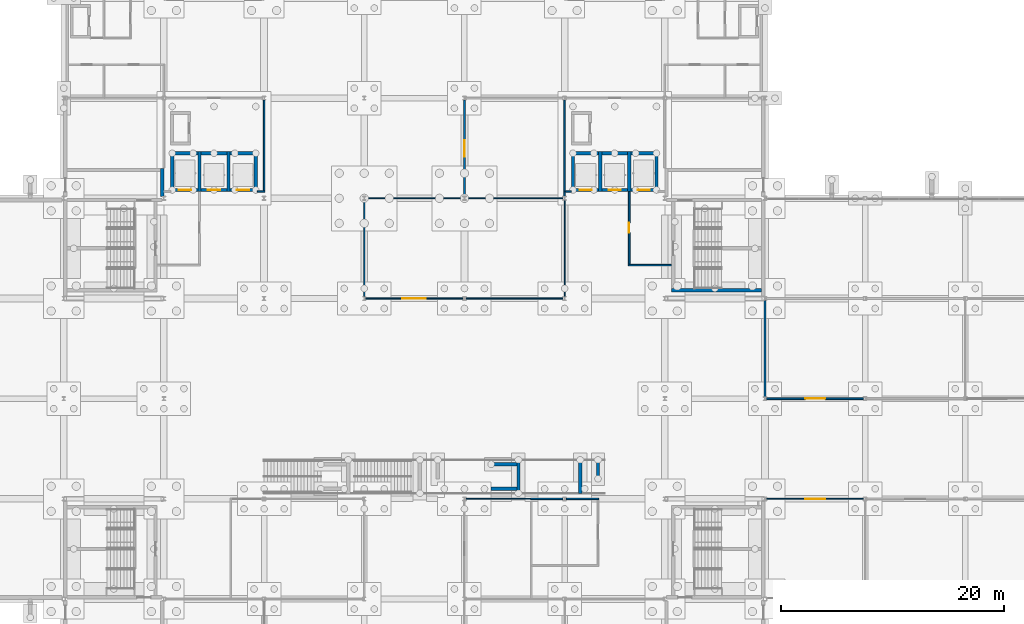
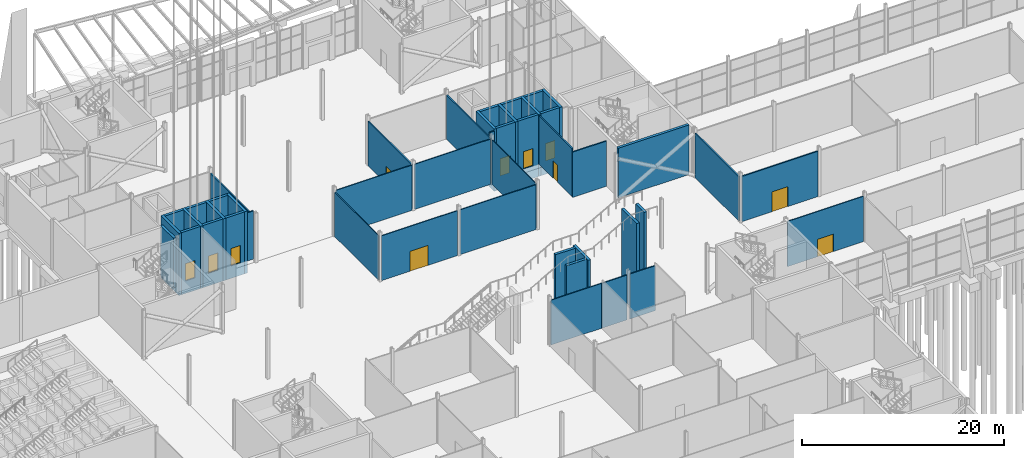
# One storey, part 108 of 139: 46 walls, 11 doors, 11 openings.
"""IFC4 building model written with IfcOpenShell, lengths in metres."""

from ifc_helpers import new_model, si_unit, direction, frame, frame_2d, origin, place, context, subcontext, project, spatial, rectangle, extrude, material, layer, layer_set, type_object, element, fill, save


model = new_model("IFC4")

# Units and contexts
model_context = context("Model", 3, precision=1e-05, world=origin(), true_north=direction((0.0, 1.0)))
body_context = subcontext(model_context, "Body", "Model", "MODEL_VIEW")
ifc_project = project(units=[si_unit("LENGTHUNIT", "METRE"), si_unit("AREAUNIT", "SQUARE_METRE"), si_unit("VOLUMEUNIT", "CUBIC_METRE"), si_unit("PLANEANGLEUNIT", "RADIAN"), si_unit("MASSUNIT", "GRAM", prefix="KILO")], contexts=[model_context])

# Site, building, storey
site_placement = place(None, origin())
site = spatial("IfcSite", under=ifc_project, at=site_placement, CompositionType="ELEMENT")
building_placement = place(site_placement, origin())
building = spatial("IfcBuilding", under=site, at=building_placement, Name="Shorebreak Coast Museum", CompositionType="ELEMENT")
storey_placement = place(building_placement, origin())
storey = spatial("IfcBuildingStorey", under=building, at=storey_placement, Name="L00", CompositionType="ELEMENT", Elevation=0.0)

# Wall, opening, door
ifc_material_1 = material(Name="Plasterboard on steel stud", Category="steel")
ifc_layer_1 = layer(ifc_material_1, 0.14990234375)
ifc_layer_set_1 = layer_set([ifc_layer_1], Name="Plasterboard on steel stud")
wall_type_1 = type_object("IfcWallType", Name="Fire partition 150", PredefinedType="PARTITIONING", material=ifc_layer_set_1)
wall_1_placement = place(storey_placement, frame((117.154541015625, 72.0, 0.0), z_axis=(0.0, 0.0, 1.0), x_axis=(1.0, 0.0, 0.0)))
wall_1 = element("IfcWall", 1, at=wall_1_placement, inside=storey, type_object=wall_type_1, Name="Partition L00-053", PredefinedType="PARTITIONING", context=body_context, shape_type="SweptSolid", body=[
    extrude(rectangle(XDim=8.69091796875, YDim=0.14990234375, at=frame_2d((4.345458984375, 0.0))), origin(), (0.0, 0.0, 1.0), 5.469482421875),
])
opening_1_placement = place(wall_1_placement, frame((3.449951171875, 0.0, 0.0)))
opening_1 = element("IfcOpeningElement", 2, at=opening_1_placement, cuts=wall_1, Name="Opening D0040", PredefinedType="OPENING", context=body_context, shape_type="SweptSolid", body=[
    extrude(rectangle(XDim=1.800048828125, YDim=2.39990234375, at=frame_2d((0.89990234375, 1.199951171875))), frame((0.0, 0.0849609375, 0.0), z_axis=(0.0, -1.0, 0.0), x_axis=(1.0, 0.0, 0.0)), (0.0, 0.0, 1.0), 0.169921875),
])
ifc_material_2 = material(Name="Steel", Category="steel")
door_type_1 = type_object("IfcDoorType", Name="Fire door 1800x2400 60", OperationType="DOUBLE_DOOR_SINGLE_SWING", PredefinedType="DOOR", material=ifc_material_2)
door_1_placement = place(opening_1_placement, origin())
door_1 = element("IfcDoor", 3, at=door_1_placement, inside=storey, type_object=door_type_1, Name="Door D0040 Photography Gallery", OperationType="DOUBLE_DOOR_SINGLE_SWING", OverallHeight=2.39990234375, OverallWidth=1.800048828125, PredefinedType="DOOR", context=body_context, shape_type="SweptSolid", body=[
    extrude(rectangle(XDim=1.800048828125, YDim=2.39990234375, at=frame_2d((0.89990234375, 1.199951171875))), frame((0.0, 0.02490234375, 0.0), z_axis=(0.0, -1.0, 0.0), x_axis=(1.0, 0.0, 0.0)), (0.0, 0.0, 1.0), 0.050048828125),
])
fill(opening_1, door_1)

# Walls
wall_2_placement = place(storey_placement, frame((104.72509765625, 84.0, 0.0), z_axis=(0.0, 0.0, 1.0), x_axis=(1.0, 0.0, 0.0)))
element("IfcWall", 4, at=wall_2_placement, inside=storey, type_object=wall_type_1, Name="Partition L00-064", PredefinedType="PARTITIONING", context=body_context, shape_type="SweptSolid", body=[
    extrude(rectangle(XDim=3.875, YDim=0.14990234375, at=frame_2d((1.9375, 0.0))), origin(), (0.0, 0.0, 1.0), 5.472900390625),
])
wall_3_placement = place(storey_placement, frame((71.39990234375, 90.60009765625, 0.0), z_axis=(0.0, 0.0, 1.0), x_axis=(1.0, 0.0, 0.0)))
element("IfcWall", 5, at=wall_3_placement, inside=storey, type_object=wall_type_1, Name="Partition L00-068", PredefinedType="PARTITIONING", context=body_context, shape_type="SweptSolid", body=[
    extrude(rectangle(XDim=0.675048828125, YDim=0.14990234375, at=frame_2d((0.33740234375, 0.0))), origin(), (0.0, 0.0, 1.0), 5.824951171875),
])
wall_4_placement = place(storey_placement, frame((99.074951171875, 90.60009765625, 0.0), z_axis=(0.0, 0.0, 1.0), x_axis=(1.0, 0.0, 0.0)))
element("IfcWall", 6, at=wall_4_placement, inside=storey, type_object=wall_type_1, Name="Partition L00-069", PredefinedType="PARTITIONING", context=body_context, shape_type="SweptSolid", body=[
    extrude(rectangle(XDim=0.525146484375, YDim=0.14990234375, at=frame_2d((0.2626953125, 0.0))), origin(), (0.0, 0.0, 1.0), 5.824951171875),
])
wall_5_placement = place(storey_placement, frame((72.0, 90.675048828125, 0.0), z_axis=(0.0, 0.0, 1.0), x_axis=(0.0, 1.0, 0.0)))
element("IfcWall", 7, at=wall_5_placement, inside=storey, type_object=wall_type_1, Name="Partition L00-119", PredefinedType="PARTITIONING", context=body_context, shape_type="SweptSolid", body=[
    extrude(rectangle(XDim=8.16455078125, YDim=0.14990234375, at=frame_2d((4.082275390625, 0.0))), origin(), (0.0, 0.0, 1.0), 5.364501953125),
])

# Wall, opening, door
wall_6_placement = place(storey_placement, frame((90.0, 90.16357421875, 0.0), z_axis=(0.0, 0.0, 1.0), x_axis=(0.0, 1.0, 0.0)))
wall_6 = element("IfcWall", 8, at=wall_6_placement, inside=storey, type_object=wall_type_1, Name="Partition L00-132", PredefinedType="PARTITIONING", context=body_context, shape_type="SweptSolid", body=[
    extrude(rectangle(XDim=8.676025390625, YDim=0.14990234375, at=frame_2d((4.337890625, 0.0))), origin(), (0.0, 0.0, 1.0), 5.364501953125),
])
opening_2_placement = place(wall_6_placement, frame((3.550048828125, 0.0, 0.0)))
opening_2 = element("IfcOpeningElement", 9, at=opening_2_placement, cuts=wall_6, Name="Opening D0058", PredefinedType="OPENING", context=body_context, shape_type="SweptSolid", body=[
    extrude(rectangle(XDim=1.5, YDim=2.10009765625, at=frame_2d((0.75, 1.050048828125))), frame((0.0, 0.0849609375, 0.0), z_axis=(0.0, -1.0, 0.0), x_axis=(1.0, 0.0, 0.0)), (0.0, 0.0, 1.0), 0.169921875),
])
ifc_material_3 = material(Name="Steel", Category="steel")
door_type_2 = type_object("IfcDoorType", Name="Fire door 1500x2100 60", OperationType="DOUBLE_DOOR_SINGLE_SWING", PredefinedType="DOOR", material=ifc_material_3)
door_2_placement = place(opening_2_placement, origin())
door_2 = element("IfcDoor", 10, at=door_2_placement, inside=storey, type_object=door_type_2, Name="Door D0058 Kitchen", OperationType="DOUBLE_DOOR_SINGLE_SWING", OverallHeight=2.10009765625, OverallWidth=1.5, PredefinedType="DOOR", context=body_context, shape_type="SweptSolid", body=[
    extrude(rectangle(XDim=1.5, YDim=2.10009765625, at=frame_2d((0.75, 1.050048828125))), frame((0.0, 0.02490234375, 0.0), z_axis=(0.0, -1.0, 0.0), x_axis=(1.0, 0.0, 0.0)), (0.0, 0.0, 1.0), 0.050048828125),
])
fill(opening_2, door_2)

# Wall
wall_7_placement = place(storey_placement, frame((99.0, 90.16357421875, 0.0), z_axis=(0.0, 0.0, 1.0), x_axis=(0.0, 1.0, 0.0)))
element("IfcWall", 11, at=wall_7_placement, inside=storey, type_object=wall_type_1, Name="Partition L00-145", PredefinedType="PARTITIONING", context=body_context, shape_type="SweptSolid", body=[
    extrude(rectangle(XDim=8.676025390625, YDim=0.14990234375, at=frame_2d((4.337890625, 0.0))), origin(), (0.0, 0.0, 1.0), 5.364501953125),
])

# Wall, opening, door
wall_8_placement = place(storey_placement, frame((104.800048828125, 84.074951171875, 0.0), z_axis=(0.0, 0.0, 1.0), x_axis=(0.0, 1.0, 0.0)))
wall_8 = element("IfcWall", 12, at=wall_8_placement, inside=storey, type_object=wall_type_1, Name="Partition L00-147", PredefinedType="PARTITIONING", context=body_context, shape_type="SweptSolid", body=[
    extrude(rectangle(XDim=6.525146484375, YDim=0.14990234375, at=frame_2d((3.2626953125, 0.0))), origin(), (0.0, 0.0, 1.0), 5.824951171875),
])
opening_3_placement = place(wall_8_placement, frame((2.85009765625, 0.0, 0.0)))
opening_3 = element("IfcOpeningElement", 13, at=opening_3_placement, cuts=wall_8, Name="Opening D0045", PredefinedType="OPENING", context=body_context, shape_type="SweptSolid", body=[
    extrude(rectangle(XDim=0.89990234375, YDim=2.10009765625, at=frame_2d((0.449951171875, 1.050048828125))), frame((0.0, 0.0849609375, 0.0), z_axis=(0.0, -1.0, 0.0), x_axis=(1.0, 0.0, 0.0)), (0.0, 0.0, 1.0), 0.169921875),
])
ifc_material_4 = material(Name="Steel", Category="steel")
door_type_3 = type_object("IfcDoorType", Name="Fire door 900x2100 60", OperationType="SINGLE_SWING_LEFT", PredefinedType="DOOR", material=ifc_material_4)
door_3_placement = place(opening_3_placement, origin())
door_3 = element("IfcDoor", 14, at=door_3_placement, inside=storey, type_object=door_type_3, Name="Door D0045 Firefighting Lift Lobby E", OperationType="SINGLE_SWING_RIGHT", OverallHeight=2.10009765625, OverallWidth=0.89990234375, PredefinedType="DOOR", context=body_context, shape_type="SweptSolid", body=[
    extrude(rectangle(XDim=0.89990234375, YDim=2.10009765625, at=frame_2d((0.449951171875, 1.050048828125))), frame((0.0, 0.02490234375, 0.0), z_axis=(0.0, -1.0, 0.0), x_axis=(1.0, 0.0, 0.0)), (0.0, 0.0, 1.0), 0.050048828125),
])
fill(opening_3, door_3)

# Walls
wall_9_placement = place(storey_placement, frame((117.0, 72.160400390625, 0.0), z_axis=(0.0, 0.0, 1.0), x_axis=(0.0, 1.0, 0.0)))
element("IfcWall", 15, at=wall_9_placement, inside=storey, type_object=wall_type_1, Name="Partition L00-165", PredefinedType="PARTITIONING", context=body_context, shape_type="SweptSolid", body=[
    extrude(rectangle(XDim=8.67919921875, YDim=0.14990234375, at=frame_2d((4.339599609375, 0.0))), origin(), (0.0, 0.0, 1.0), 5.364501953125),
])
ifc_material_5 = material(Name="Plasterboard on steel stud", Category="steel")
ifc_layer_2 = layer(ifc_material_5, 0.10009765625)
ifc_layer_set_2 = layer_set([ifc_layer_2], Name="Plasterboard on steel stud")
wall_type_2 = type_object("IfcWallType", Name="Partition 100", PredefinedType="PARTITIONING", material=ifc_layer_set_2)
wall_10_placement = place(storey_placement, frame((90.155517578125, 63.0, 0.0), z_axis=(0.0, 0.0, 1.0), x_axis=(1.0, 0.0, 0.0)))
element("IfcWall", 16, at=wall_10_placement, inside=storey, type_object=wall_type_2, Name="Partition L00-045", PredefinedType="PARTITIONING", context=body_context, shape_type="SweptSolid", body=[
    extrude(rectangle(XDim=5.906982421875, YDim=0.10009765625, at=frame_2d((2.95361328125, 0.0))), origin(), (0.0, 0.0, 1.0), 5.42236328125),
])

# Wall, opening, door
wall_11_placement = place(storey_placement, frame((117.154541015625, 63.0, 0.0), z_axis=(0.0, 0.0, 1.0), x_axis=(1.0, 0.0, 0.0)))
wall_11 = element("IfcWall", 17, at=wall_11_placement, inside=storey, type_object=wall_type_2, Name="Partition L00-048", PredefinedType="PARTITIONING", context=body_context, shape_type="SweptSolid", body=[
    extrude(rectangle(XDim=8.69091796875, YDim=0.10009765625, at=frame_2d((4.345458984375, 0.0))), origin(), (0.0, 0.0, 1.0), 5.469482421875),
])
opening_4_placement = place(wall_11_placement, frame((3.449951171875, 0.0, 0.0)))
opening_4 = element("IfcOpeningElement", 18, at=opening_4_placement, cuts=wall_11, Name="Opening D0043", PredefinedType="OPENING", context=body_context, shape_type="SweptSolid", body=[
    extrude(rectangle(XDim=1.800048828125, YDim=2.10009765625, at=frame_2d((0.89990234375, 1.050048828125))), frame((0.0, 0.06005859375, 0.0), z_axis=(0.0, -1.0, 0.0), x_axis=(1.0, 0.0, 0.0)), (0.0, 0.0, 1.0), 0.1201171875),
])
ifc_material_6 = material(Name="Timber", Category="wood")
door_type_4 = type_object("IfcDoorType", Name="Interior door 1800x2100", OperationType="DOUBLE_DOOR_SINGLE_SWING", PredefinedType="DOOR", material=ifc_material_6)
door_4_placement = place(opening_4_placement, origin())
door_4 = element("IfcDoor", 19, at=door_4_placement, inside=storey, type_object=door_type_4, Name="Door D0043 Cloakroom", OperationType="DOUBLE_DOOR_SINGLE_SWING", OverallHeight=2.10009765625, OverallWidth=1.800048828125, PredefinedType="DOOR", context=body_context, shape_type="SweptSolid", body=[
    extrude(rectangle(XDim=1.800048828125, YDim=2.10009765625, at=frame_2d((0.89990234375, 1.050048828125))), frame((0.0, 0.02490234375, 0.0), z_axis=(0.0, -1.0, 0.0), x_axis=(1.0, 0.0, 0.0)), (0.0, 0.0, 1.0), 0.050048828125),
])
fill(opening_4, door_4)

wall_12_placement = place(storey_placement, frame((81.155517578125, 81.0, 0.0), z_axis=(0.0, 0.0, 1.0), x_axis=(1.0, 0.0, 0.0)))
wall_12 = element("IfcWall", 20, at=wall_12_placement, inside=storey, type_object=wall_type_2, Name="Partition L00-057", PredefinedType="PARTITIONING", context=body_context, shape_type="SweptSolid", body=[
    extrude(rectangle(XDim=8.68896484375, YDim=0.10009765625, at=frame_2d((4.344482421875, 0.0))), origin(), (0.0, 0.0, 1.0), 5.42236328125),
])
opening_5_placement = place(wall_12_placement, frame((3.25, 0.0, 0.0)))
opening_5 = element("IfcOpeningElement", 21, at=opening_5_placement, cuts=wall_12, Name="Opening D0059", PredefinedType="OPENING", context=body_context, shape_type="SweptSolid", body=[
    extrude(rectangle(XDim=2.10009765625, YDim=2.39990234375, at=frame_2d((1.050048828125, 1.199951171875))), frame((0.0, 0.06005859375, 0.0), z_axis=(0.0, -1.0, 0.0), x_axis=(1.0, 0.0, 0.0)), (0.0, 0.0, 1.0), 0.1201171875),
])
ifc_material_7 = material(Name="Timber", Category="wood")
door_type_5 = type_object("IfcDoorType", Name="Interior door 2100x2400", OperationType="DOUBLE_DOOR_SINGLE_SWING", PredefinedType="DOOR", material=ifc_material_7)
door_5_placement = place(opening_5_placement, origin())
door_5 = element("IfcDoor", 22, at=door_5_placement, inside=storey, type_object=door_type_5, Name="Door D0059 Cafe", OperationType="DOUBLE_DOOR_SINGLE_SWING", OverallHeight=2.39990234375, OverallWidth=2.10009765625, PredefinedType="DOOR", context=body_context, shape_type="SweptSolid", body=[
    extrude(rectangle(XDim=2.10009765625, YDim=2.39990234375, at=frame_2d((1.050048828125, 1.199951171875))), frame((0.0, 0.02490234375, 0.0), z_axis=(0.0, -1.0, 0.0), x_axis=(1.0, 0.0, 0.0)), (0.0, 0.0, 1.0), 0.050048828125),
])
fill(opening_5, door_5)

# Walls
wall_13_placement = place(storey_placement, frame((90.155517578125, 81.0, 0.0), z_axis=(0.0, 0.0, 1.0), x_axis=(1.0, 0.0, 0.0)))
element("IfcWall", 23, at=wall_13_placement, inside=storey, type_object=wall_type_2, Name="Partition L00-058", PredefinedType="PARTITIONING", context=body_context, shape_type="SweptSolid", body=[
    extrude(rectangle(XDim=8.68896484375, YDim=0.10009765625, at=frame_2d((4.344482421875, 0.0))), origin(), (0.0, 0.0, 1.0), 5.42236328125),
])
for number, where, z_axis, x_axis, name in (
    (24, (81.155517578125, 90.0, 0.0), (0.0, 0.0, 1.0), (1.0, 0.0, 0.0), "Partition L00-065"),
    (25, (90.155517578125, 90.0, 0.0), (0.0, 0.0, 1.0), (1.0, 0.0, 0.0), "Partition L00-066"),
):
    element("IfcWall", number, at=place(storey_placement, frame(where, z_axis=z_axis, x_axis=x_axis)), inside=storey, type_object=wall_type_2, Name=name, PredefinedType="PARTITIONING", context=body_context, shape_type="SweptSolid", body=[
        extrude(rectangle(XDim=8.68896484375, YDim=0.10009765625, at=frame_2d((4.344482421875, 0.0))), origin(), (0.0, 0.0, 1.0), 5.46630859375),
    ])
for number, where, z_axis, x_axis, name in (
    (26, (81.0, 81.16357421875, 0.0), (0.0, 0.0, 1.0), (0.0, 1.0, 0.0), "Partition L00-126"),
    (27, (99.0, 81.16357421875, 0.0), (0.0, 0.0, 1.0), (0.0, 1.0, 0.0), "Partition L00-144"),
):
    element("IfcWall", number, at=place(storey_placement, frame(where, z_axis=z_axis, x_axis=x_axis)), inside=storey, type_object=wall_type_2, Name=name, PredefinedType="PARTITIONING", context=body_context, shape_type="SweptSolid", body=[
        extrude(rectangle(XDim=8.6728515625, YDim=0.10009765625, at=frame_2d((4.33642578125, 0.0))), origin(), (0.0, 0.0, 1.0), 5.364501953125),
    ])
ifc_material_8 = material(Name="Plasterboard on steel stud", Category="steel")
ifc_layer_3 = layer(ifc_material_8, 0.125)
ifc_layer_set_3 = layer_set([ifc_layer_3], Name="Plasterboard on steel stud")
wall_type_3 = type_object("IfcWallType", Name="Partition 125", PredefinedType="PARTITIONING", material=ifc_layer_set_3)
for number, where, z_axis, x_axis, name in (
    (28, (95.9375, 63.0, 0.0), (0.0, 0.0, 1.0), (1.0, 0.0, 0.0), "Partition L00-046"),
    (29, (99.155517578125, 63.0, 0.0), (0.0, 0.0, 1.0), (1.0, 0.0, 0.0), "Partition L00-047"),
):
    element("IfcWall", number, at=place(storey_placement, frame(where, z_axis=z_axis, x_axis=x_axis)), inside=storey, type_object=wall_type_3, Name=name, PredefinedType="PARTITIONING", context=body_context, shape_type="SweptSolid", body=[
        extrude(rectangle(XDim=2.906982421875, YDim=0.125, at=frame_2d((1.45361328125, 0.0))), origin(), (0.0, 0.0, 1.0), 5.42236328125),
    ])
ifc_material_9 = material(Name="Concrete N50 (50 MPa)", Category="concrete")
ifc_layer_4 = layer(ifc_material_9, 0.300048828125)
ifc_layer_set_4 = layer_set([ifc_layer_4], Name="Concrete N50 (50 MPa)")
wall_type_4 = type_object("IfcWallType", Name="RC wall 300", PredefinedType="SHEAR", material=ifc_layer_set_4)
wall_14_placement = place(storey_placement, frame((108.60009765625, 81.75, 0.0), z_axis=(0.0, 0.0, 1.0), x_axis=(1.0, 0.0, 0.0)))
element("IfcWall", 30, at=wall_14_placement, inside=storey, type_object=wall_type_4, Name="Stair core wall ST04 L00 S", PredefinedType="SHEAR", context=body_context, shape_type="SweptSolid", body=[
    extrude(rectangle(XDim=8.099853515625, YDim=0.300048828125, at=frame_2d((4.0498046875, 0.0))), origin(), (0.0, 0.0, 1.0), 6.0),
])
wall_15_placement = place(storey_placement, frame((62.85009765625, 90.16357421875, 0.0), z_axis=(0.0, 0.0, 1.0), x_axis=(0.0, 1.0, 0.0)))
element("IfcWall", 31, at=wall_15_placement, inside=storey, type_object=wall_type_4, Name="Exit passage wall PX3 side", PredefinedType="SHEAR", context=body_context, shape_type="SweptSolid", body=[
    extrude(rectangle(XDim=2.536376953125, YDim=0.300048828125, at=frame_2d((1.26806640625, 0.0))), origin(), (0.0, 0.0, 1.0), 6.0),
])
for number, where, z_axis, x_axis, name in (
    (32, (63.75, 90.60009765625, -1.5), (0.0, 0.0, 1.0), (0.0, 1.0, 0.0), "Lift shaft wall LBW L00 1"),
    (33, (66.199951171875, 90.60009765625, -1.5), (0.0, 0.0, 1.0), (0.0, 1.0, 0.0), "Lift shaft wall LBW L00 2"),
    (34, (68.800048828125, 90.60009765625, -1.5), (0.0, 0.0, 1.0), (0.0, 1.0, 0.0), "Lift shaft wall LBW L00 3"),
    (35, (71.25, 90.60009765625, -1.5), (0.0, 0.0, 1.0), (0.0, 1.0, 0.0), "Lift shaft wall LBW L00 4"),
):
    element("IfcWall", number, at=place(storey_placement, frame(where, z_axis=z_axis, x_axis=x_axis)), inside=storey, type_object=wall_type_4, Name=name, PredefinedType="SHEAR", context=body_context, shape_type="SweptSolid", body=[
        extrude(rectangle(XDim=3.599853515625, YDim=0.300048828125, at=frame_2d((1.7998046875, 0.0))), origin(), (0.0, 0.0, 1.0), 7.5),
    ])

# Wall, opening, door
wall_16_placement = place(storey_placement, frame((63.89990234375, 90.75, -1.5), z_axis=(0.0, 0.0, 1.0), x_axis=(1.0, 0.0, 0.0)))
wall_16 = element("IfcWall", 36, at=wall_16_placement, inside=storey, type_object=wall_type_4, Name="Lift shaft wall FL1 L00 F", PredefinedType="SHEAR", context=body_context, shape_type="SweptSolid", body=[
    extrude(rectangle(XDim=2.150146484375, YDim=0.300048828125, at=frame_2d((1.0751953125, 0.0))), origin(), (0.0, 0.0, 1.0), 7.5),
])
opening_6_placement = place(wall_16_placement, frame((0.449951171875, 0.0, 1.5)))
opening_6 = element("IfcOpeningElement", 37, at=opening_6_placement, cuts=wall_16, Name="Opening LD0-FL1", PredefinedType="OPENING", context=body_context, shape_type="SweptSolid", body=[
    extrude(rectangle(XDim=1.10009765625, YDim=2.10009765625, at=frame_2d((0.550048828125, 1.050048828125))), frame((0.0, 0.159912109375, 0.0), z_axis=(0.0, -1.0, 0.0), x_axis=(1.0, 0.0, 0.0)), (0.0, 0.0, 1.0), 0.320068359375),
])
ifc_material_10 = material(Name="Steel Grade 300", Category="steel")
door_type_6 = type_object("IfcDoorType", Name="Landing door 1100x2100", OperationType="DOUBLE_DOOR_SLIDING", PredefinedType="DOOR", material=ifc_material_10)
door_6_placement = place(opening_6_placement, origin())
door_6 = element("IfcDoor", 38, at=door_6_placement, inside=storey, type_object=door_type_6, Name="Landing door FL1 L00", OperationType="DOUBLE_DOOR_SLIDING", OverallHeight=2.10009765625, OverallWidth=1.10009765625, PredefinedType="DOOR", context=body_context, shape_type="SweptSolid", body=[
    extrude(rectangle(XDim=1.10009765625, YDim=2.10009765625, at=frame_2d((0.550048828125, 1.050048828125))), frame((0.0, 0.02490234375, 0.0), z_axis=(0.0, -1.0, 0.0), x_axis=(1.0, 0.0, 0.0)), (0.0, 0.0, 1.0), 0.050048828125),
])
fill(opening_6, door_6)

# Wall
wall_17_placement = place(storey_placement, frame((63.89990234375, 94.050048828125, -1.5), z_axis=(0.0, 0.0, 1.0), x_axis=(1.0, 0.0, 0.0)))
element("IfcWall", 39, at=wall_17_placement, inside=storey, type_object=wall_type_4, Name="Lift shaft wall FL1 L00 B", PredefinedType="SHEAR", context=body_context, shape_type="SweptSolid", body=[
    extrude(rectangle(XDim=2.150146484375, YDim=0.300048828125, at=frame_2d((1.0751953125, 0.0))), origin(), (0.0, 0.0, 1.0), 7.5),
])

# Wall, opening, door
wall_18_placement = place(storey_placement, frame((66.35009765625, 90.75, -1.5), z_axis=(0.0, 0.0, 1.0), x_axis=(1.0, 0.0, 0.0)))
wall_18 = element("IfcWall", 40, at=wall_18_placement, inside=storey, type_object=wall_type_4, Name="Lift shaft wall P1 L00 F", PredefinedType="SHEAR", context=body_context, shape_type="SweptSolid", body=[
    extrude(rectangle(XDim=2.2998046875, YDim=0.300048828125, at=frame_2d((1.14990234375, 0.0))), origin(), (0.0, 0.0, 1.0), 7.5),
])
opening_7_placement = place(wall_18_placement, frame((0.60009765625, 0.0, 1.5)))
opening_7 = element("IfcOpeningElement", 41, at=opening_7_placement, cuts=wall_18, Name="Opening LD0-P1", PredefinedType="OPENING", context=body_context, shape_type="SweptSolid", body=[
    extrude(rectangle(XDim=1.10009765625, YDim=2.10009765625, at=frame_2d((0.550048828125, 1.050048828125))), frame((0.0, 0.159912109375, 0.0), z_axis=(0.0, -1.0, 0.0), x_axis=(1.0, 0.0, 0.0)), (0.0, 0.0, 1.0), 0.320068359375),
])
door_7_placement = place(opening_7_placement, origin())
door_7 = element("IfcDoor", 42, at=door_7_placement, inside=storey, type_object=door_type_6, Name="Landing door P1 L00", OperationType="DOUBLE_DOOR_SLIDING", OverallHeight=2.10009765625, OverallWidth=1.10009765625, PredefinedType="DOOR", context=body_context, shape_type="SweptSolid", body=[
    extrude(rectangle(XDim=1.10009765625, YDim=2.10009765625, at=frame_2d((0.550048828125, 1.050048828125))), frame((0.0, 0.02490234375, 0.0), z_axis=(0.0, -1.0, 0.0), x_axis=(1.0, 0.0, 0.0)), (0.0, 0.0, 1.0), 0.050048828125),
])
fill(opening_7, door_7)

# Wall
wall_19_placement = place(storey_placement, frame((66.35009765625, 94.050048828125, -1.5), z_axis=(0.0, 0.0, 1.0), x_axis=(1.0, 0.0, 0.0)))
element("IfcWall", 43, at=wall_19_placement, inside=storey, type_object=wall_type_4, Name="Lift shaft wall P1 L00 B", PredefinedType="SHEAR", context=body_context, shape_type="SweptSolid", body=[
    extrude(rectangle(XDim=2.2998046875, YDim=0.300048828125, at=frame_2d((1.14990234375, 0.0))), origin(), (0.0, 0.0, 1.0), 7.5),
])

# Wall, opening, door
wall_20_placement = place(storey_placement, frame((68.949951171875, 90.75, -1.5), z_axis=(0.0, 0.0, 1.0), x_axis=(1.0, 0.0, 0.0)))
wall_20 = element("IfcWall", 44, at=wall_20_placement, inside=storey, type_object=wall_type_4, Name="Lift shaft wall P2 L00 F", PredefinedType="SHEAR", context=body_context, shape_type="SweptSolid", body=[
    extrude(rectangle(XDim=2.150146484375, YDim=0.300048828125, at=frame_2d((1.0751953125, 0.0))), origin(), (0.0, 0.0, 1.0), 7.5),
])
opening_8_placement = place(wall_20_placement, frame((0.60009765625, 0.0, 1.5)))
opening_8 = element("IfcOpeningElement", 45, at=opening_8_placement, cuts=wall_20, Name="Opening LD0-P2", PredefinedType="OPENING", context=body_context, shape_type="SweptSolid", body=[
    extrude(rectangle(XDim=1.10009765625, YDim=2.10009765625, at=frame_2d((0.550048828125, 1.050048828125))), frame((0.0, 0.159912109375, 0.0), z_axis=(0.0, -1.0, 0.0), x_axis=(1.0, 0.0, 0.0)), (0.0, 0.0, 1.0), 0.320068359375),
])
door_8_placement = place(opening_8_placement, origin())
door_8 = element("IfcDoor", 46, at=door_8_placement, inside=storey, type_object=door_type_6, Name="Landing door P2 L00", OperationType="DOUBLE_DOOR_SLIDING", OverallHeight=2.10009765625, OverallWidth=1.10009765625, PredefinedType="DOOR", context=body_context, shape_type="SweptSolid", body=[
    extrude(rectangle(XDim=1.10009765625, YDim=2.10009765625, at=frame_2d((0.550048828125, 1.050048828125))), frame((0.0, 0.02490234375, 0.0), z_axis=(0.0, -1.0, 0.0), x_axis=(1.0, 0.0, 0.0)), (0.0, 0.0, 1.0), 0.050048828125),
])
fill(opening_8, door_8)

# Walls
wall_21_placement = place(storey_placement, frame((68.949951171875, 94.050048828125, -1.5), z_axis=(0.0, 0.0, 1.0), x_axis=(1.0, 0.0, 0.0)))
element("IfcWall", 47, at=wall_21_placement, inside=storey, type_object=wall_type_4, Name="Lift shaft wall P2 L00 B", PredefinedType="SHEAR", context=body_context, shape_type="SweptSolid", body=[
    extrude(rectangle(XDim=2.150146484375, YDim=0.300048828125, at=frame_2d((1.0751953125, 0.0))), origin(), (0.0, 0.0, 1.0), 7.5),
])
for number, where, z_axis, x_axis, name in (
    (48, (99.75, 90.60009765625, -1.5), (0.0, 0.0, 1.0), (0.0, 1.0, 0.0), "Lift shaft wall LBE L00 1"),
    (49, (102.199951171875, 90.60009765625, -1.5), (0.0, 0.0, 1.0), (0.0, 1.0, 0.0), "Lift shaft wall LBE L00 2"),
    (50, (104.800048828125, 90.60009765625, -1.5), (0.0, 0.0, 1.0), (0.0, 1.0, 0.0), "Lift shaft wall LBE L00 3"),
    (51, (107.25, 90.60009765625, -1.5), (0.0, 0.0, 1.0), (0.0, 1.0, 0.0), "Lift shaft wall LBE L00 4"),
):
    element("IfcWall", number, at=place(storey_placement, frame(where, z_axis=z_axis, x_axis=x_axis)), inside=storey, type_object=wall_type_4, Name=name, PredefinedType="SHEAR", context=body_context, shape_type="SweptSolid", body=[
        extrude(rectangle(XDim=3.599853515625, YDim=0.300048828125, at=frame_2d((1.7998046875, 0.0))), origin(), (0.0, 0.0, 1.0), 7.5),
    ])

# Wall, opening, door
wall_22_placement = place(storey_placement, frame((99.89990234375, 90.75, -1.5), z_axis=(0.0, 0.0, 1.0), x_axis=(1.0, 0.0, 0.0)))
wall_22 = element("IfcWall", 52, at=wall_22_placement, inside=storey, type_object=wall_type_4, Name="Lift shaft wall P3 L00 F", PredefinedType="SHEAR", context=body_context, shape_type="SweptSolid", body=[
    extrude(rectangle(XDim=2.150146484375, YDim=0.300048828125, at=frame_2d((1.0751953125, 0.0))), origin(), (0.0, 0.0, 1.0), 7.5),
])
opening_9_placement = place(wall_22_placement, frame((0.449951171875, 0.0, 1.5)))
opening_9 = element("IfcOpeningElement", 53, at=opening_9_placement, cuts=wall_22, Name="Opening LD0-P3", PredefinedType="OPENING", context=body_context, shape_type="SweptSolid", body=[
    extrude(rectangle(XDim=1.10009765625, YDim=2.10009765625, at=frame_2d((0.550048828125, 1.050048828125))), frame((0.0, 0.159912109375, 0.0), z_axis=(0.0, -1.0, 0.0), x_axis=(1.0, 0.0, 0.0)), (0.0, 0.0, 1.0), 0.320068359375),
])
door_9_placement = place(opening_9_placement, origin())
door_9 = element("IfcDoor", 54, at=door_9_placement, inside=storey, type_object=door_type_6, Name="Landing door P3 L00", OperationType="DOUBLE_DOOR_SLIDING", OverallHeight=2.10009765625, OverallWidth=1.10009765625, PredefinedType="DOOR", context=body_context, shape_type="SweptSolid", body=[
    extrude(rectangle(XDim=1.10009765625, YDim=2.10009765625, at=frame_2d((0.550048828125, 1.050048828125))), frame((0.0, 0.02490234375, 0.0), z_axis=(0.0, -1.0, 0.0), x_axis=(1.0, 0.0, 0.0)), (0.0, 0.0, 1.0), 0.050048828125),
])
fill(opening_9, door_9)

# Wall
wall_23_placement = place(storey_placement, frame((99.89990234375, 94.050048828125, -1.5), z_axis=(0.0, 0.0, 1.0), x_axis=(1.0, 0.0, 0.0)))
element("IfcWall", 55, at=wall_23_placement, inside=storey, type_object=wall_type_4, Name="Lift shaft wall P3 L00 B", PredefinedType="SHEAR", context=body_context, shape_type="SweptSolid", body=[
    extrude(rectangle(XDim=2.150146484375, YDim=0.300048828125, at=frame_2d((1.0751953125, 0.0))), origin(), (0.0, 0.0, 1.0), 7.5),
])

# Wall, opening, door
wall_24_placement = place(storey_placement, frame((102.35009765625, 90.75, -1.5), z_axis=(0.0, 0.0, 1.0), x_axis=(1.0, 0.0, 0.0)))
wall_24 = element("IfcWall", 56, at=wall_24_placement, inside=storey, type_object=wall_type_4, Name="Lift shaft wall P4 L00 F", PredefinedType="SHEAR", context=body_context, shape_type="SweptSolid", body=[
    extrude(rectangle(XDim=2.2998046875, YDim=0.300048828125, at=frame_2d((1.14990234375, 0.0))), origin(), (0.0, 0.0, 1.0), 7.5),
])
opening_10_placement = place(wall_24_placement, frame((0.60009765625, 0.0, 1.5)))
opening_10 = element("IfcOpeningElement", 57, at=opening_10_placement, cuts=wall_24, Name="Opening LD0-P4", PredefinedType="OPENING", context=body_context, shape_type="SweptSolid", body=[
    extrude(rectangle(XDim=1.10009765625, YDim=2.10009765625, at=frame_2d((0.550048828125, 1.050048828125))), frame((0.0, 0.159912109375, 0.0), z_axis=(0.0, -1.0, 0.0), x_axis=(1.0, 0.0, 0.0)), (0.0, 0.0, 1.0), 0.320068359375),
])
door_10_placement = place(opening_10_placement, origin())
door_10 = element("IfcDoor", 58, at=door_10_placement, inside=storey, type_object=door_type_6, Name="Landing door P4 L00", OperationType="DOUBLE_DOOR_SLIDING", OverallHeight=2.10009765625, OverallWidth=1.10009765625, PredefinedType="DOOR", context=body_context, shape_type="SweptSolid", body=[
    extrude(rectangle(XDim=1.10009765625, YDim=2.10009765625, at=frame_2d((0.550048828125, 1.050048828125))), frame((0.0, 0.02490234375, 0.0), z_axis=(0.0, -1.0, 0.0), x_axis=(1.0, 0.0, 0.0)), (0.0, 0.0, 1.0), 0.050048828125),
])
fill(opening_10, door_10)

# Wall
wall_25_placement = place(storey_placement, frame((102.35009765625, 94.050048828125, -1.5), z_axis=(0.0, 0.0, 1.0), x_axis=(1.0, 0.0, 0.0)))
element("IfcWall", 59, at=wall_25_placement, inside=storey, type_object=wall_type_4, Name="Lift shaft wall P4 L00 B", PredefinedType="SHEAR", context=body_context, shape_type="SweptSolid", body=[
    extrude(rectangle(XDim=2.2998046875, YDim=0.300048828125, at=frame_2d((1.14990234375, 0.0))), origin(), (0.0, 0.0, 1.0), 7.5),
])

# Wall, opening, door
wall_26_placement = place(storey_placement, frame((104.949951171875, 90.75, -1.5), z_axis=(0.0, 0.0, 1.0), x_axis=(1.0, 0.0, 0.0)))
wall_26 = element("IfcWall", 60, at=wall_26_placement, inside=storey, type_object=wall_type_4, Name="Lift shaft wall FL2 L00 F", PredefinedType="SHEAR", context=body_context, shape_type="SweptSolid", body=[
    extrude(rectangle(XDim=2.150146484375, YDim=0.300048828125, at=frame_2d((1.0751953125, 0.0))), origin(), (0.0, 0.0, 1.0), 7.5),
])
opening_11_placement = place(wall_26_placement, frame((0.60009765625, 0.0, 1.5)))
opening_11 = element("IfcOpeningElement", 61, at=opening_11_placement, cuts=wall_26, Name="Opening LD0-FL2", PredefinedType="OPENING", context=body_context, shape_type="SweptSolid", body=[
    extrude(rectangle(XDim=1.10009765625, YDim=2.10009765625, at=frame_2d((0.550048828125, 1.050048828125))), frame((0.0, 0.159912109375, 0.0), z_axis=(0.0, -1.0, 0.0), x_axis=(1.0, 0.0, 0.0)), (0.0, 0.0, 1.0), 0.320068359375),
])
door_11_placement = place(opening_11_placement, origin())
door_11 = element("IfcDoor", 62, at=door_11_placement, inside=storey, type_object=door_type_6, Name="Landing door FL2 L00", OperationType="DOUBLE_DOOR_SLIDING", OverallHeight=2.10009765625, OverallWidth=1.10009765625, PredefinedType="DOOR", context=body_context, shape_type="SweptSolid", body=[
    extrude(rectangle(XDim=1.10009765625, YDim=2.10009765625, at=frame_2d((0.550048828125, 1.050048828125))), frame((0.0, 0.02490234375, 0.0), z_axis=(0.0, -1.0, 0.0), x_axis=(1.0, 0.0, 0.0)), (0.0, 0.0, 1.0), 0.050048828125),
])
fill(opening_11, door_11)

# Walls
wall_27_placement = place(storey_placement, frame((104.949951171875, 94.050048828125, -1.5), z_axis=(0.0, 0.0, 1.0), x_axis=(1.0, 0.0, 0.0)))
element("IfcWall", 63, at=wall_27_placement, inside=storey, type_object=wall_type_4, Name="Lift shaft wall FL2 L00 B", PredefinedType="SHEAR", context=body_context, shape_type="SweptSolid", body=[
    extrude(rectangle(XDim=2.150146484375, YDim=0.300048828125, at=frame_2d((1.0751953125, 0.0))), origin(), (0.0, 0.0, 1.0), 7.5),
])
ifc_material_11 = material(Name="Concrete N50 (50 MPa)", Category="concrete")
ifc_layer_5 = layer(ifc_material_11, 0.300048828125)
ifc_layer_set_5 = layer_set([ifc_layer_5], Name="Concrete N50 (50 MPa)")
wall_type_5 = type_object("IfcWallType", Name="Stair support wall 300", PredefinedType="SHEAR", material=ifc_layer_set_5)
wall_28_placement = place(storey_placement, frame((94.85009765625, 63.5, 0.0), z_axis=(0.0, 0.0, 1.0), x_axis=(0.0, 1.0, 0.0)))
element("IfcWall", 64, at=wall_28_placement, inside=storey, type_object=wall_type_5, Name="Feature stair support wall M2", PredefinedType="SHEAR", context=body_context, shape_type="SweptSolid", body=[
    extrude(rectangle(XDim=3.0, YDim=0.300048828125, at=frame_2d((1.5, 0.0))), origin(), (0.0, 0.0, 1.0), 8.300048828125),
])
for number, where, z_axis, x_axis, name in (
    (65, (92.39990234375, 63.89990234375, 0.0), (0.0, 0.0, 1.0), (1.0, 0.0, 0.0), "Feature stair support wall M2B"),
    (66, (92.39990234375, 66.10009765625, 0.0), (0.0, 0.0, 1.0), (1.0, 0.0, 0.0), "Feature stair support wall M2C"),
):
    element("IfcWall", number, at=place(storey_placement, frame(where, z_axis=z_axis, x_axis=x_axis)), inside=storey, type_object=wall_type_5, Name=name, PredefinedType="SHEAR", context=body_context, shape_type="SweptSolid", body=[
        extrude(rectangle(XDim=2.300048828125, YDim=0.300048828125, at=frame_2d((1.14990234375, 0.0))), origin(), (0.0, 0.0, 1.0), 8.300048828125),
    ])
wall_29_placement = place(storey_placement, frame((100.39990234375, 63.5, 0.0), z_axis=(0.0, 0.0, 1.0), x_axis=(0.0, 1.0, 0.0)))
element("IfcWall", 67, at=wall_29_placement, inside=storey, type_object=wall_type_5, Name="Feature stair support wall LB1", PredefinedType="SHEAR", context=body_context, shape_type="SweptSolid", body=[
    extrude(rectangle(XDim=3.0, YDim=0.300048828125, at=frame_2d((1.5, 0.0))), origin(), (0.0, 0.0, 1.0), 10.800048828125),
])
wall_30_placement = place(storey_placement, frame((102.0, 64.800048828125, 0.0), z_axis=(0.0, 0.0, 1.0), x_axis=(0.0, 1.0, 0.0)))
element("IfcWall", 68, at=wall_30_placement, inside=storey, type_object=wall_type_5, Name="Feature stair support wall LB2", PredefinedType="SHEAR", context=body_context, shape_type="SweptSolid", body=[
    extrude(rectangle(XDim=1.699951171875, YDim=0.300048828125, at=frame_2d((0.85009765625, 0.0))), origin(), (0.0, 0.0, 1.0), 10.800048828125),
])

save(model, "model.ifc")
